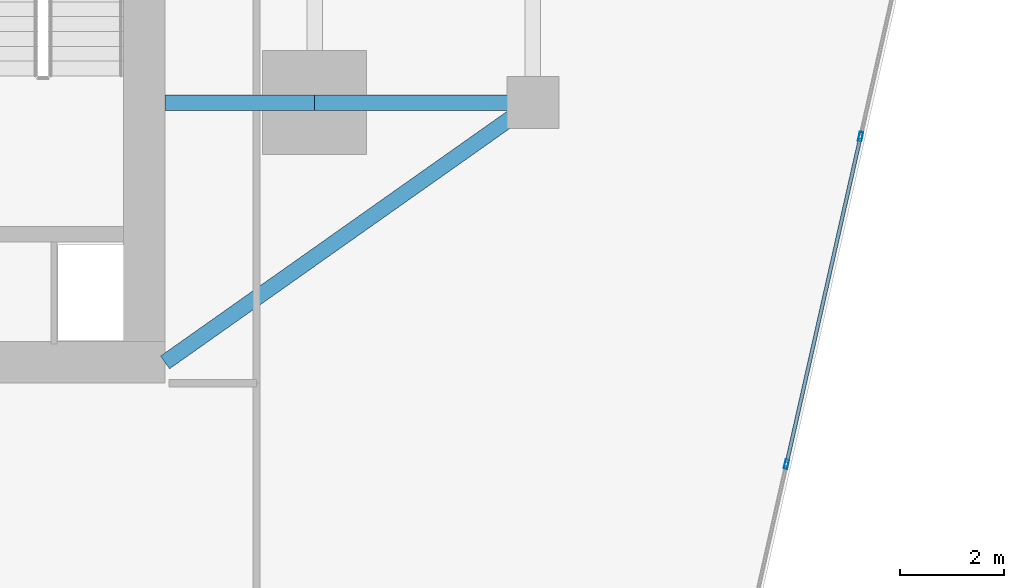
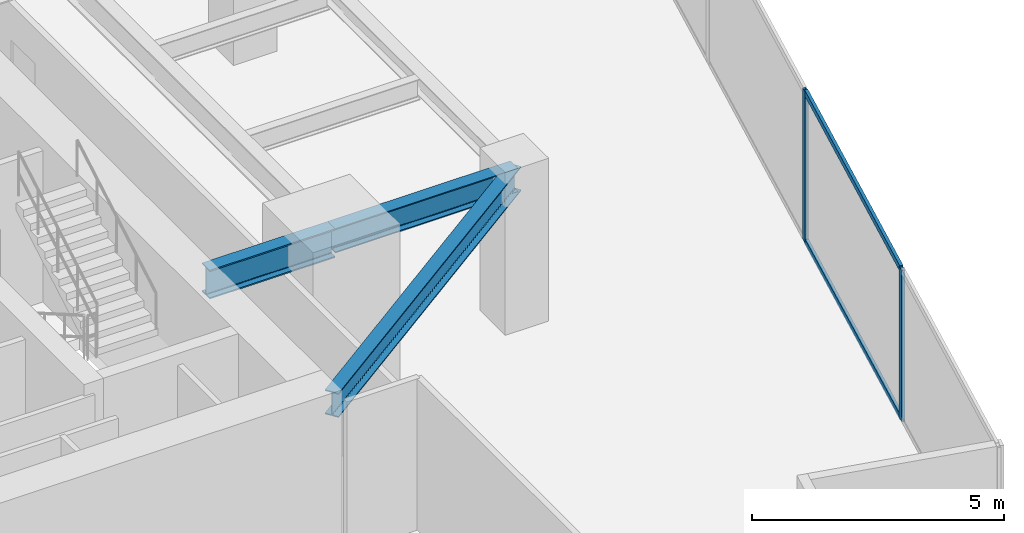
# One storey, part 11 of 26: 4 members, 3 beams, 1 element without a shape of its own.
"""IFC4 building model written with IfcOpenShell, lengths in metres."""

from ifc_helpers import new_model, si_unit, direction, frame, origin, origin_2d, place, context, subcontext, project, spatial, hollow_rectangle, i_section, extrude, source, transform, mapped, material, material_profile, profile_set, type_object, type_shapes, element, aggregate, save


model = new_model("IFC4")

# Units and contexts
model_context = context("Model", 3, precision=1e-05, world=origin(), true_north=direction((0.0, 1.0)))
body_context = subcontext(model_context, "Body", "Model", "MODEL_VIEW")
ifc_project = project(units=[si_unit("LENGTHUNIT", "METRE"), si_unit("AREAUNIT", "SQUARE_METRE"), si_unit("VOLUMEUNIT", "CUBIC_METRE"), si_unit("PLANEANGLEUNIT", "RADIAN"), si_unit("MASSUNIT", "GRAM", prefix="KILO")], contexts=[model_context])

# Site, building, storey
site_placement = place(None, origin())
site = spatial("IfcSite", under=ifc_project, at=site_placement, CompositionType="ELEMENT")
building_placement = place(site_placement, origin())
building = spatial("IfcBuilding", under=site, at=building_placement, Name="Krantzveldt Concourse Tower", CompositionType="ELEMENT")
storey_placement = place(building_placement, frame((0.0, 0.0, 90.050048828125)))
storey = spatial("IfcBuildingStorey", under=building, at=storey_placement, Name="L21", CompositionType="ELEMENT", Elevation=90.050048828125)

# Beams
ifc_material_1 = material(Name="Steel S355J2", Category="steel")
ifc_material_profile_1 = material_profile(ifc_material_1, i_section(OverallWidth=0.300048828125, OverallDepth=0.699951171875, WebThickness=0.01708984375, FlangeThickness=0.031982421875, FilletRadius=0.027099609375, at=origin_2d()), Name="Steel S355J2", Category="steel")
ifc_profile_set_1 = profile_set([ifc_material_profile_1], Name="Steel S355J2 - HEB 700")
beam_type_1 = type_object("IfcBeamType", Name="BM-B-HEB700", PredefinedType="BEAM", material=ifc_profile_set_1)
shared_shape_1 = source(origin(), body_context, "Body", "SweptSolid", [
    extrude(i_section(OverallWidth=0.300048828125, OverallDepth=0.699951171875, WebThickness=0.01708984375, FlangeThickness=0.031982421875, FilletRadius=0.027099609375, at=origin_2d()), origin(), (0.0, 0.0, 1.0), 2.880126953125),
])
type_shapes(beam_type_1, [shared_shape_1])
beam_1_placement = place(storey_placement, frame((43.919921875, 15.89990234375, 3.320068359375), z_axis=(1.0, 0.0, 0.0), x_axis=(0.0, 1.0, 0.0)))
element("IfcBeam", 1, at=beam_1_placement, inside=storey, type_object=beam_type_1, Name="L21 Tower Girder BG-CE1", PredefinedType="BEAM", context=body_context, shape_type="MappedRepresentation", body=[
    mapped(shared_shape_1, transform((0.0, 0.0, 0.0), x_axis=(1.0, 0.0, 0.0), y_axis=(0.0, 1.0, 0.0), z_axis=(0.0, 0.0, 1.0), scale=1.0)),
])
ifc_material_2 = material(Name="Steel S355JR", Category="steel")
ifc_material_profile_2 = material_profile(ifc_material_2, i_section(OverallWidth=0.300048828125, OverallDepth=0.590087890625, WebThickness=0.012939453125, FlangeThickness=0.02490234375, FilletRadius=0.027099609375, at=origin_2d()), Name="Steel S355JR", Category="steel")
ifc_profile_set_2 = profile_set([ifc_material_profile_2], Name="Steel S355JR - HEA 600")
beam_type_2 = type_object("IfcBeamType", Name="BM-B-HEA600", PredefinedType="BEAM", material=ifc_profile_set_2)
shared_shape_2 = source(origin(), body_context, "Body", "SweptSolid", [
    extrude(i_section(OverallWidth=0.300048828125, OverallDepth=0.590087890625, WebThickness=0.012939453125, FlangeThickness=0.02490234375, FilletRadius=0.027099609375, at=origin_2d()), origin(), (0.0, 0.0, 1.0), 4.199951171875),
])
beam_2_placement = place(storey_placement, frame((46.800048828125, 15.89990234375, 3.375), z_axis=(1.0, 0.0, 0.0), x_axis=(0.0, 1.0, 0.0)))
element("IfcBeam", 2, at=beam_2_placement, inside=storey, type_object=beam_type_2, Name="L21 Tower Girder BR-RR1", PredefinedType="BEAM", context=body_context, shape_type="MappedRepresentation", body=[
    mapped(shared_shape_2, transform((0.0, 0.0, 0.0), x_axis=(1.0, 0.0, 0.0), y_axis=(0.0, 1.0, 0.0), z_axis=(0.0, 0.0, 1.0), scale=1.0)),
])
shared_shape_3 = source(origin(), body_context, "Body", "SweptSolid", [
    extrude(i_section(OverallWidth=0.300048828125, OverallDepth=0.590087890625, WebThickness=0.012939453125, FlangeThickness=0.02490234375, FilletRadius=0.027099609375, at=origin_2d()), origin(), (0.0, 0.0, 1.0), 8.667724609375),
])
type_shapes(beam_type_2, [shared_shape_2, shared_shape_3])
beam_3_placement = place(storey_placement, frame((51.0, 15.89990234375, 3.375), z_axis=(-0.81684294656, -0.576860122261, 0.0), x_axis=(0.576860122261, -0.81684294656, 0.0)))
element("IfcBeam", 3, at=beam_3_placement, inside=storey, type_object=beam_type_2, Name="L21 Tower Girder BR-CSE", PredefinedType="BEAM", context=body_context, shape_type="MappedRepresentation", body=[
    mapped(shared_shape_3, transform((0.0, 0.0, 0.0), x_axis=(1.0, 0.0, 0.0), y_axis=(0.0, 1.0, 0.0), z_axis=(0.0, 0.0, 1.0), scale=1.0)),
])

# Curtain wall, members
ifc_material_3 = material(Name="Anodised aluminium 6063-T6", Category="aluminium")
curtain_wall_type = type_object("IfcCurtainWallType", Name="CW2", PredefinedType="USERDEFINED", material=ifc_material_3)
curtain_wall_placement = place(storey_placement, origin())
curtain_wall = element("IfcCurtainWall", 4, at=curtain_wall_placement, inside=storey, type_object=curtain_wall_type, Name="CW-L21-F07", ObjectType="UNITISED CURTAIN WALL", PredefinedType="USERDEFINED")
ifc_material_profile_3 = material_profile(ifc_material_3, hollow_rectangle(XDim=0.070068359375, YDim=0.179931640625, WallThickness=0.0048828125, at=origin_2d()), Name="Anodised aluminium 6063-T6", Category="aluminium")
ifc_profile_set_3 = profile_set([ifc_material_profile_3], Name="Anodised aluminium 6063-T6 - ALU-MULL 180x70x5")
member_type_1 = type_object("IfcMemberType", Name="CW-MUL-180", PredefinedType="MULLION", material=ifc_profile_set_3)
shared_shape_4 = source(origin(), body_context, "Body", "SweptSolid", [
    extrude(hollow_rectangle(XDim=0.070068359375, YDim=0.179931640625, WallThickness=0.0048828125, at=origin_2d()), origin(), (0.0, 0.0, 1.0), 3.669921875),
])
type_shapes(member_type_1, [shared_shape_4])
member_1_placement = place(storey_placement, frame((55.880859375, 8.941162109375, 0.0), z_axis=(0.0, 0.0, 1.0), x_axis=(-0.975342320609, 0.220697434579, 0.0)))
member_1 = element("IfcMember", 5, at=member_1_placement, type_object=member_type_1, Name="CW-Z12 mullion 2", PredefinedType="MULLION", context=body_context, shape_type="MappedRepresentation", body=[
    mapped(shared_shape_4, transform((0.0, 0.0, 0.0), x_axis=(1.0, 0.0, 0.0), y_axis=(0.0, 1.0, 0.0), z_axis=(0.0, 0.0, 1.0), scale=1.0)),
])
member_2_placement = place(storey_placement, frame((57.30810546875, 15.248291015625, 0.0), z_axis=(0.0, 0.0, 1.0), x_axis=(-0.975342320609, 0.220697434579, 0.0)))
member_2 = element("IfcMember", 6, at=member_2_placement, type_object=member_type_1, Name="CW-Z12 mullion 3", PredefinedType="MULLION", context=body_context, shape_type="MappedRepresentation", body=[
    mapped(shared_shape_4, transform((0.0, 0.0, 0.0), x_axis=(1.0, 0.0, 0.0), y_axis=(0.0, 1.0, 0.0), z_axis=(0.0, 0.0, 1.0), scale=1.0)),
])
ifc_material_profile_4 = material_profile(ifc_material_3, hollow_rectangle(XDim=0.070068359375, YDim=0.139892578125, WallThickness=0.0048828125, at=origin_2d()), Name="Anodised aluminium 6063-T6", Category="aluminium")
ifc_profile_set_4 = profile_set([ifc_material_profile_4], Name="Anodised aluminium 6063-T6 - ALU-TRAN 140x70x5")
member_type_2 = type_object("IfcMemberType", Name="CW-TRN-150", PredefinedType="USERDEFINED", material=ifc_profile_set_4)
shared_shape_5 = source(origin(), body_context, "Body", "SweptSolid", [
    extrude(hollow_rectangle(XDim=0.070068359375, YDim=0.139892578125, WallThickness=0.0048828125, at=origin_2d()), origin(), (0.0, 0.0, 1.0), 6.396484375),
])
type_shapes(member_type_2, [shared_shape_5])
member_3_placement = place(storey_placement, frame((55.888671875, 8.975341796875, 0.034912109375), z_axis=(0.220687273667, 0.975344619733, 0.0), x_axis=(-0.975344619733, 0.220687273667, 0.0)))
member_3 = element("IfcMember", 7, at=member_3_placement, type_object=member_type_2, Name="CW-Z12 transom 2.1", ObjectType="TRANSOM", PredefinedType="USERDEFINED", context=body_context, shape_type="MappedRepresentation", body=[
    mapped(shared_shape_5, transform((0.0, 0.0, 0.0), x_axis=(1.0, 0.0, 0.0), y_axis=(0.0, 1.0, 0.0), z_axis=(0.0, 0.0, 1.0), scale=1.0)),
])
member_4_placement = place(storey_placement, frame((55.888671875, 8.975341796875, 3.635009765625), z_axis=(0.220687273667, 0.975344619733, 0.0), x_axis=(-0.975344619733, 0.220687273667, 0.0)))
member_4 = element("IfcMember", 8, at=member_4_placement, type_object=member_type_2, Name="CW-Z12 transom 2.2", ObjectType="TRANSOM", PredefinedType="USERDEFINED", context=body_context, shape_type="MappedRepresentation", body=[
    mapped(shared_shape_5, transform((0.0, 0.0, 0.0), x_axis=(1.0, 0.0, 0.0), y_axis=(0.0, 1.0, 0.0), z_axis=(0.0, 0.0, 1.0), scale=1.0)),
])
aggregate(curtain_wall, [member_1, member_2, member_3, member_4])

save(model, "model.ifc")
